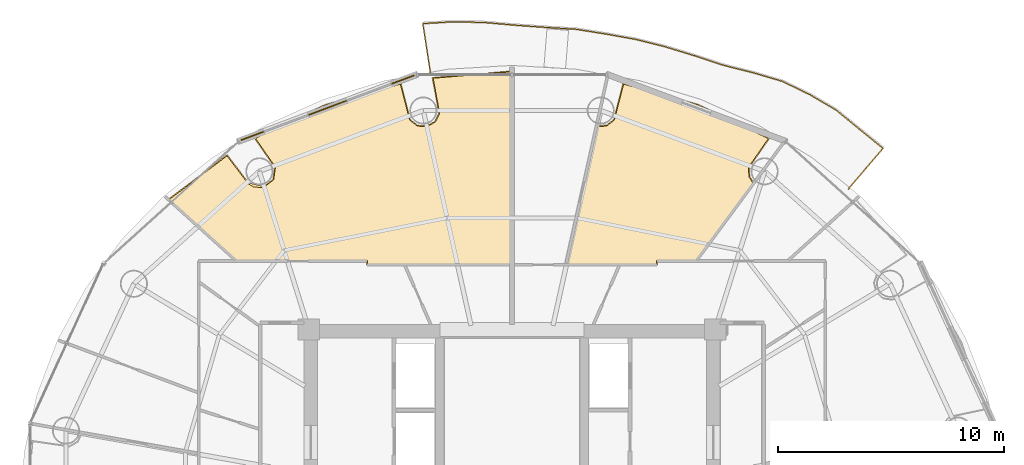
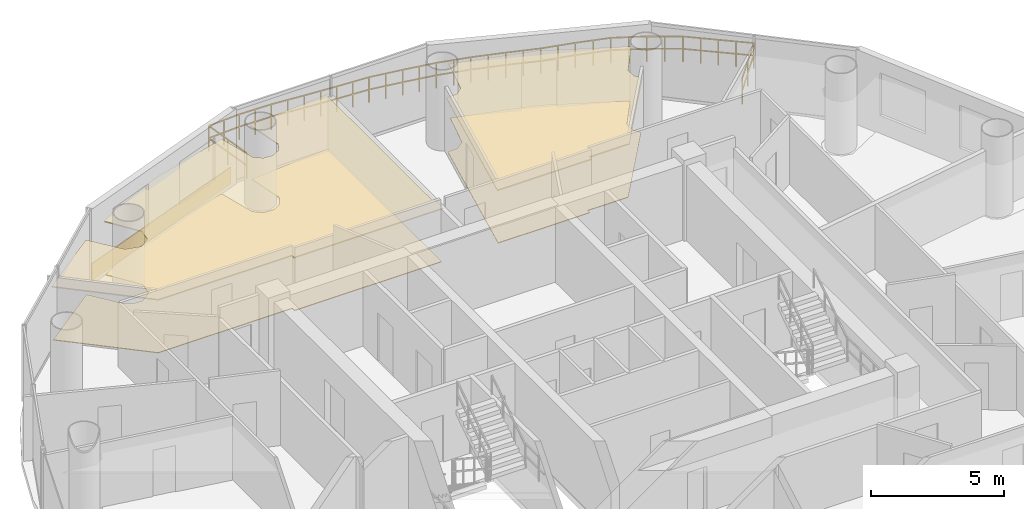
# One storey, part 27 of 27: 5 coverings, 1 railing.
"""IFC4 building model written with IfcOpenShell, lengths in metres."""

from ifc_helpers import new_model, si_unit, direction, frame, origin, origin_2d, place, context, subcontext, project, spatial, polyline, rectangle, outline, extrude, source, transform, mapped, material, layer, layer_set, type_object, element, save


model = new_model("IFC4")

# Units and contexts
model_context = context("Model", 3, precision=1e-05, world=origin(), true_north=direction((-0.2419218956, 0.970295726276)))
body_context = subcontext(model_context, "Body", "Model", "MODEL_VIEW")
ifc_project = project(units=[si_unit("LENGTHUNIT", "METRE"), si_unit("AREAUNIT", "SQUARE_METRE"), si_unit("VOLUMEUNIT", "CUBIC_METRE"), si_unit("PLANEANGLEUNIT", "RADIAN"), si_unit("MASSUNIT", "GRAM", prefix="KILO")], contexts=[model_context])

# Site, building, storey
site_placement = place(None, origin())
site = spatial("IfcSite", under=ifc_project, at=site_placement, CompositionType="ELEMENT")
building_placement = place(site_placement, origin())
building = spatial("IfcBuilding", under=site, at=building_placement, Name="Cobrevalo Terracotta Tower", CompositionType="ELEMENT")
storey_placement = place(building_placement, frame((0.0, 0.0, 194.89990234375)))
storey = spatial("IfcBuildingStorey", under=building, at=storey_placement, Name="L51", CompositionType="ELEMENT", Elevation=194.89990234375)

# Railing
ifc_material_1 = material(Name="Laminated structural glass and stainless steel", Category="steel")
railing_type = type_object("IfcRailingType", Name="Balcony lobe structural glass & terracotta-cap balustrade 1180 mm", PredefinedType="BALUSTRADE", material=ifc_material_1)
railing_placement = place(storey_placement, frame((52.901123046875, 41.023193359375, 0.0)))
element("IfcRailing", 1, at=railing_placement, inside=storey, type_object=railing_type, Name="L51 spiralling balcony lobe balustrade 1", PredefinedType="BALUSTRADE", context=body_context, shape_type="SweptSolid", body=[
    extrude(rectangle(XDim=0.048095703125, YDim=0.048095703125, at=origin_2d()), frame((0.0, 0.0, 1.15576171875), z_axis=(0.650291208554, 0.759685029521, 0.0), x_axis=(-0.759685029521, 0.650291208554, 0.0)), (0.0, 0.0, 1.0), 2.372314453125),
    extrude(rectangle(XDim=0.048095703125, YDim=0.048095703125, at=origin_2d()), frame((0.0, 0.0, 0.58984375), z_axis=(0.650291208554, 0.759685029521, 0.0), x_axis=(-0.759685029521, 0.650291208554, 0.0)), (0.0, 0.0, 1.0), 2.372314453125),
    extrude(rectangle(XDim=0.048095703125, YDim=0.048095703125, at=origin_2d()), frame((1.542724609375, 1.80224609375, 1.15576171875), z_axis=(-0.776041470751, 0.630681881518, 0.0), x_axis=(-0.630681881518, -0.776041470751, 0.0)), (0.0, 0.0, 1.0), 1.338623046875),
    extrude(rectangle(XDim=0.048095703125, YDim=0.048095703125, at=origin_2d()), frame((1.542724609375, 1.80224609375, 0.58984375), z_axis=(-0.776041470751, 0.630681881518, 0.0), x_axis=(-0.630681881518, -0.776041470751, 0.0)), (0.0, 0.0, 1.0), 1.338623046875),
    extrude(rectangle(XDim=0.048095703125, YDim=0.048095703125, at=origin_2d()), frame((0.50390625, 2.646484375, 1.15576171875), z_axis=(-0.773600924858, 0.633673108992, 0.0), x_axis=(-0.633673108992, -0.773600924858, 0.0)), (0.0, 0.0, 1.0), 1.343505859375),
    extrude(rectangle(XDim=0.048095703125, YDim=0.048095703125, at=origin_2d()), frame((0.50390625, 2.646484375, 0.58984375), z_axis=(-0.773600924858, 0.633673108992, 0.0), x_axis=(-0.633673108992, -0.773600924858, 0.0)), (0.0, 0.0, 1.0), 1.343505859375),
    extrude(rectangle(XDim=0.048095703125, YDim=0.048095703125, at=origin_2d()), frame((-0.535400390625, 3.497802734375, 1.15576171875), z_axis=(-0.862836203686, 0.505483615568, 0.0), x_axis=(-0.505483615568, -0.862836203686, 0.0)), (0.0, 0.0, 1.0), 1.354736328125),
    extrude(rectangle(XDim=0.048095703125, YDim=0.048095703125, at=origin_2d()), frame((-0.535400390625, 3.497802734375, 0.58984375), z_axis=(-0.862836203686, 0.505483615568, 0.0), x_axis=(-0.505483615568, -0.862836203686, 0.0)), (0.0, 0.0, 1.0), 1.354736328125),
    extrude(rectangle(XDim=0.048095703125, YDim=0.048095703125, at=origin_2d()), frame((-1.704345703125, 4.1826171875, 1.15576171875), z_axis=(-0.899644130432, 0.436623909766, 0.0), x_axis=(-0.436623909766, -0.899644130432, 0.0)), (0.0, 0.0, 1.0), 1.350341796875),
    extrude(rectangle(XDim=0.048095703125, YDim=0.048095703125, at=origin_2d()), frame((-1.704345703125, 4.1826171875, 0.58984375), z_axis=(-0.899644130432, 0.436623909766, 0.0), x_axis=(-0.436623909766, -0.899644130432, 0.0)), (0.0, 0.0, 1.0), 1.350341796875),
    extrude(rectangle(XDim=0.048095703125, YDim=0.048095703125, at=origin_2d()), frame((-2.919189453125, 4.772216796875, 1.15576171875), z_axis=(-0.959260482674, 0.282523143087, 0.0), x_axis=(-0.282523143087, -0.959260482674, 0.0)), (0.0, 0.0, 1.0), 1.37060546875),
    extrude(rectangle(XDim=0.048095703125, YDim=0.048095703125, at=origin_2d()), frame((-2.919189453125, 4.772216796875, 0.58984375), z_axis=(-0.959260482674, 0.282523143087, 0.0), x_axis=(-0.282523143087, -0.959260482674, 0.0)), (0.0, 0.0, 1.0), 1.37060546875),
    extrude(rectangle(XDim=0.048095703125, YDim=0.048095703125, at=origin_2d()), frame((-4.23388671875, 5.159423828125, 1.15576171875), z_axis=(-0.969738704162, 0.244145132351, 0.0), x_axis=(-0.244145132351, -0.969738704162, 0.0)), (0.0, 0.0, 1.0), 1.35595703125),
    extrude(rectangle(XDim=0.048095703125, YDim=0.048095703125, at=origin_2d()), frame((-4.23388671875, 5.159423828125, 0.58984375), z_axis=(-0.969738704162, 0.244145132351, 0.0), x_axis=(-0.244145132351, -0.969738704162, 0.0)), (0.0, 0.0, 1.0), 1.35595703125),
    extrude(rectangle(XDim=0.048095703125, YDim=0.048095703125, at=origin_2d()), frame((-5.548828125, 5.490478515625, 1.15576171875), z_axis=(-0.949952867938, 0.312393259683, 0.0), x_axis=(-0.312393259683, -0.949952867938, 0.0)), (0.0, 0.0, 1.0), 1.337890625),
    extrude(rectangle(XDim=0.048095703125, YDim=0.048095703125, at=origin_2d()), frame((-5.548828125, 5.490478515625, 0.58984375), z_axis=(-0.949952867938, 0.312393259683, 0.0), x_axis=(-0.312393259683, -0.949952867938, 0.0)), (0.0, 0.0, 1.0), 1.337890625),
    extrude(rectangle(XDim=0.048095703125, YDim=0.048095703125, at=origin_2d()), frame((-6.81982421875, 5.908447265625, 1.15576171875), z_axis=(-0.956152115654, 0.292870503348, 0.0), x_axis=(-0.292870503348, -0.956152115654, 0.0)), (0.0, 0.0, 1.0), 1.34130859375),
    extrude(rectangle(XDim=0.048095703125, YDim=0.048095703125, at=origin_2d()), frame((-6.81982421875, 5.908447265625, 0.58984375), z_axis=(-0.956152115654, 0.292870503348, 0.0), x_axis=(-0.292870503348, -0.956152115654, 0.0)), (0.0, 0.0, 1.0), 1.34130859375),
    extrude(rectangle(XDim=0.048095703125, YDim=0.048095703125, at=origin_2d()), frame((-8.102294921875, 6.30126953125, 1.15576171875), z_axis=(-0.969734449268, 0.244162032067, 0.0), x_axis=(-0.244162032067, -0.969734449268, 0.0)), (0.0, 0.0, 1.0), 1.341796875),
    extrude(rectangle(XDim=0.048095703125, YDim=0.048095703125, at=origin_2d()), frame((-8.102294921875, 6.30126953125, 0.58984375), z_axis=(-0.969734449268, 0.244162032067, 0.0), x_axis=(-0.244162032067, -0.969734449268, 0.0)), (0.0, 0.0, 1.0), 1.341796875),
    extrude(rectangle(XDim=0.048095703125, YDim=0.048095703125, at=origin_2d()), frame((-9.403564453125, 6.62890625, 1.15576171875), z_axis=(-0.98411819982, 0.177514418521, 0.0), x_axis=(-0.177514418521, -0.98411819982, 0.0)), (0.0, 0.0, 1.0), 1.347900390625),
    extrude(rectangle(XDim=0.048095703125, YDim=0.048095703125, at=origin_2d()), frame((-9.403564453125, 6.62890625, 0.58984375), z_axis=(-0.98411819982, 0.177514418521, 0.0), x_axis=(-0.177514418521, -0.98411819982, 0.0)), (0.0, 0.0, 1.0), 1.347900390625),
    extrude(rectangle(XDim=0.048095703125, YDim=0.048095703125, at=origin_2d()), frame((-10.72998046875, 6.8681640625, 1.15576171875), z_axis=(-0.987633301154, 0.15678157561, 0.0), x_axis=(-0.15678157561, -0.987633301154, 0.0)), (0.0, 0.0, 1.0), 1.346923828125),
    extrude(rectangle(XDim=0.048095703125, YDim=0.048095703125, at=origin_2d()), frame((-10.72998046875, 6.8681640625, 0.58984375), z_axis=(-0.987633301154, 0.15678157561, 0.0), x_axis=(-0.15678157561, -0.987633301154, 0.0)), (0.0, 0.0, 1.0), 1.346923828125),
    extrude(rectangle(XDim=0.048095703125, YDim=0.048095703125, at=origin_2d()), frame((-12.060302734375, 7.079345703125, 1.15576171875), z_axis=(-0.998144280792, 0.060893306051, 0.0), x_axis=(-0.060893306051, -0.998144280792, 0.0)), (0.0, 0.0, 1.0), 1.35107421875),
    extrude(rectangle(XDim=0.048095703125, YDim=0.048095703125, at=origin_2d()), frame((-12.060302734375, 7.079345703125, 0.58984375), z_axis=(-0.998144280792, 0.060893306051, 0.0), x_axis=(-0.060893306051, -0.998144280792, 0.0)), (0.0, 0.0, 1.0), 1.35107421875),
    extrude(rectangle(XDim=0.048095703125, YDim=0.048095703125, at=origin_2d()), frame((-13.408935546875, 7.16162109375, 1.15576171875), z_axis=(-0.997362491069, 0.072581412276, 0.0), x_axis=(-0.072581412276, -0.997362491069, 0.0)), (0.0, 0.0, 1.0), 1.352294921875),
    extrude(rectangle(XDim=0.048095703125, YDim=0.048095703125, at=origin_2d()), frame((-13.408935546875, 7.16162109375, 0.58984375), z_axis=(-0.997362491069, 0.072581412276, 0.0), x_axis=(-0.072581412276, -0.997362491069, 0.0)), (0.0, 0.0, 1.0), 1.352294921875),
    extrude(rectangle(XDim=0.048095703125, YDim=0.048095703125, at=origin_2d()), frame((-14.757568359375, 7.259765625, 1.15576171875), z_axis=(-0.99622107588, 0.086853715945, 0.0), x_axis=(-0.086853715945, -0.99622107588, 0.0)), (0.0, 0.0, 1.0), 1.36328125),
    extrude(rectangle(XDim=0.048095703125, YDim=0.048095703125, at=origin_2d()), frame((-14.757568359375, 7.259765625, 0.58984375), z_axis=(-0.99622107588, 0.086853715945, 0.0), x_axis=(-0.086853715945, -0.99622107588, 0.0)), (0.0, 0.0, 1.0), 1.36328125),
    extrude(rectangle(XDim=0.048095703125, YDim=0.048095703125, at=origin_2d()), frame((-16.11572265625, 7.378173828125, 1.15576171875), z_axis=(-0.999710995621, 0.024040075598, 0.0), x_axis=(-0.024040075598, -0.999710995621, 0.0)), (0.0, 0.0, 1.0), 1.37109375),
    extrude(rectangle(XDim=0.048095703125, YDim=0.048095703125, at=origin_2d()), frame((-16.11572265625, 7.378173828125, 0.58984375), z_axis=(-0.999710995621, 0.024040075598, 0.0), x_axis=(-0.024040075598, -0.999710995621, 0.0)), (0.0, 0.0, 1.0), 1.37109375),
    extrude(rectangle(XDim=0.048095703125, YDim=0.048095703125, at=origin_2d()), frame((-17.486328125, 7.4111328125, 1.15576171875), z_axis=(-0.998224199011, -0.059568855185, 0.0), x_axis=(0.059568855185, -0.998224199011, 0.0)), (0.0, 0.0, 1.0), 1.368896484375),
    extrude(rectangle(XDim=0.048095703125, YDim=0.048095703125, at=origin_2d()), frame((-17.486328125, 7.4111328125, 0.58984375), z_axis=(-0.998224199011, -0.059568855185, 0.0), x_axis=(0.059568855185, -0.998224199011, 0.0)), (0.0, 0.0, 1.0), 1.368896484375),
    extrude(rectangle(XDim=0.048095703125, YDim=0.048095703125, at=origin_2d()), frame((-18.852783203125, 7.32958984375, 1.15576171875), z_axis=(0.151041413952, -0.988527435771, 0.0), x_axis=(0.988527435771, 0.151041413952, 0.0)), (0.0, 0.0, 1.0), 2.27587890625),
    extrude(rectangle(XDim=0.048095703125, YDim=0.048095703125, at=origin_2d()), frame((-18.852783203125, 7.32958984375, 0.58984375), z_axis=(0.151041413952, -0.988527435771, 0.0), x_axis=(0.988527435771, 0.151041413952, 0.0)), (0.0, 0.0, 1.0), 2.27587890625),
    extrude(rectangle(XDim=0.0419921875, YDim=0.0419921875, at=origin_2d()), origin(), (0.0, 0.0, 1.0), 1.1318359375),
    extrude(rectangle(XDim=0.0419921875, YDim=0.0419921875, at=origin_2d()), frame((0.771484375, 0.901123046875, 0.0)), (0.0, 0.0, 1.0), 1.1318359375),
    extrude(rectangle(XDim=0.0419921875, YDim=0.0419921875, at=origin_2d()), frame((1.542724609375, 1.80224609375, 0.0)), (0.0, 0.0, 1.0), 1.1318359375),
    extrude(rectangle(XDim=0.0419921875, YDim=0.0419921875, at=origin_2d()), frame((1.0234375, 2.224365234375, 0.0)), (0.0, 0.0, 1.0), 1.1318359375),
    extrude(rectangle(XDim=0.0419921875, YDim=0.0419921875, at=origin_2d()), frame((0.50390625, 2.646484375, 0.0)), (0.0, 0.0, 1.0), 1.1318359375),
    extrude(rectangle(XDim=0.0419921875, YDim=0.0419921875, at=origin_2d()), frame((-0.015625, 3.072265625, 0.0)), (0.0, 0.0, 1.0), 1.1318359375),
    extrude(rectangle(XDim=0.0419921875, YDim=0.0419921875, at=origin_2d()), frame((-0.535400390625, 3.497802734375, 0.0)), (0.0, 0.0, 1.0), 1.1318359375),
    extrude(rectangle(XDim=0.0419921875, YDim=0.0419921875, at=origin_2d()), frame((-1.119873046875, 3.84033203125, 0.0)), (0.0, 0.0, 1.0), 1.1318359375),
    extrude(rectangle(XDim=0.0419921875, YDim=0.0419921875, at=origin_2d()), frame((-1.704345703125, 4.1826171875, 0.0)), (0.0, 0.0, 1.0), 1.1318359375),
    extrude(rectangle(XDim=0.0419921875, YDim=0.0419921875, at=origin_2d()), frame((-2.311767578125, 4.4775390625, 0.0)), (0.0, 0.0, 1.0), 1.1318359375),
    extrude(rectangle(XDim=0.0419921875, YDim=0.0419921875, at=origin_2d()), frame((-2.919189453125, 4.772216796875, 0.0)), (0.0, 0.0, 1.0), 1.1318359375),
    extrude(rectangle(XDim=0.0419921875, YDim=0.0419921875, at=origin_2d()), frame((-3.57666015625, 4.9658203125, 0.0)), (0.0, 0.0, 1.0), 1.1318359375),
    extrude(rectangle(XDim=0.0419921875, YDim=0.0419921875, at=origin_2d()), frame((-4.23388671875, 5.159423828125, 0.0)), (0.0, 0.0, 1.0), 1.1318359375),
    extrude(rectangle(XDim=0.0419921875, YDim=0.0419921875, at=origin_2d()), frame((-4.891357421875, 5.324951171875, 0.0)), (0.0, 0.0, 1.0), 1.1318359375),
    extrude(rectangle(XDim=0.0419921875, YDim=0.0419921875, at=origin_2d()), frame((-5.548828125, 5.490478515625, 0.0)), (0.0, 0.0, 1.0), 1.1318359375),
    extrude(rectangle(XDim=0.0419921875, YDim=0.0419921875, at=origin_2d()), frame((-6.184326171875, 5.699462890625, 0.0)), (0.0, 0.0, 1.0), 1.1318359375),
    extrude(rectangle(XDim=0.0419921875, YDim=0.0419921875, at=origin_2d()), frame((-6.81982421875, 5.908447265625, 0.0)), (0.0, 0.0, 1.0), 1.1318359375),
    extrude(rectangle(XDim=0.0419921875, YDim=0.0419921875, at=origin_2d()), frame((-7.4609375, 6.10498046875, 0.0)), (0.0, 0.0, 1.0), 1.1318359375),
    extrude(rectangle(XDim=0.0419921875, YDim=0.0419921875, at=origin_2d()), frame((-8.102294921875, 6.30126953125, 0.0)), (0.0, 0.0, 1.0), 1.1318359375),
    extrude(rectangle(XDim=0.0419921875, YDim=0.0419921875, at=origin_2d()), frame((-8.7529296875, 6.465087890625, 0.0)), (0.0, 0.0, 1.0), 1.1318359375),
    extrude(rectangle(XDim=0.0419921875, YDim=0.0419921875, at=origin_2d()), frame((-9.403564453125, 6.62890625, 0.0)), (0.0, 0.0, 1.0), 1.1318359375),
    extrude(rectangle(XDim=0.0419921875, YDim=0.0419921875, at=origin_2d()), frame((-10.06689453125, 6.74853515625, 0.0)), (0.0, 0.0, 1.0), 1.1318359375),
    extrude(rectangle(XDim=0.0419921875, YDim=0.0419921875, at=origin_2d()), frame((-10.72998046875, 6.8681640625, 0.0)), (0.0, 0.0, 1.0), 1.1318359375),
    extrude(rectangle(XDim=0.0419921875, YDim=0.0419921875, at=origin_2d()), frame((-11.39501953125, 6.9736328125, 0.0)), (0.0, 0.0, 1.0), 1.1318359375),
    extrude(rectangle(XDim=0.0419921875, YDim=0.0419921875, at=origin_2d()), frame((-12.060302734375, 7.079345703125, 0.0)), (0.0, 0.0, 1.0), 1.1318359375),
    extrude(rectangle(XDim=0.0419921875, YDim=0.0419921875, at=origin_2d()), frame((-12.734619140625, 7.12060546875, 0.0)), (0.0, 0.0, 1.0), 1.1318359375),
    extrude(rectangle(XDim=0.0419921875, YDim=0.0419921875, at=origin_2d()), frame((-13.408935546875, 7.16162109375, 0.0)), (0.0, 0.0, 1.0), 1.1318359375),
    extrude(rectangle(XDim=0.0419921875, YDim=0.0419921875, at=origin_2d()), frame((-14.083251953125, 7.210693359375, 0.0)), (0.0, 0.0, 1.0), 1.1318359375),
    extrude(rectangle(XDim=0.0419921875, YDim=0.0419921875, at=origin_2d()), frame((-14.757568359375, 7.259765625, 0.0)), (0.0, 0.0, 1.0), 1.1318359375),
    extrude(rectangle(XDim=0.0419921875, YDim=0.0419921875, at=origin_2d()), frame((-15.4365234375, 7.31884765625, 0.0)), (0.0, 0.0, 1.0), 1.1318359375),
    extrude(rectangle(XDim=0.0419921875, YDim=0.0419921875, at=origin_2d()), frame((-16.11572265625, 7.378173828125, 0.0)), (0.0, 0.0, 1.0), 1.1318359375),
    extrude(rectangle(XDim=0.0419921875, YDim=0.0419921875, at=origin_2d()), frame((-16.801025390625, 7.39453125, 0.0)), (0.0, 0.0, 1.0), 1.1318359375),
    extrude(rectangle(XDim=0.0419921875, YDim=0.0419921875, at=origin_2d()), frame((-17.486328125, 7.4111328125, 0.0)), (0.0, 0.0, 1.0), 1.1318359375),
    extrude(rectangle(XDim=0.0419921875, YDim=0.0419921875, at=origin_2d()), frame((-18.16943359375, 7.370361328125, 0.0)), (0.0, 0.0, 1.0), 1.1318359375),
    extrude(rectangle(XDim=0.0419921875, YDim=0.0419921875, at=origin_2d()), frame((-18.852783203125, 7.32958984375, 0.0)), (0.0, 0.0, 1.0), 1.1318359375),
    extrude(rectangle(XDim=0.0419921875, YDim=0.0419921875, at=origin_2d()), frame((-18.680908203125, 6.20458984375, 0.0)), (0.0, 0.0, 1.0), 1.1318359375),
    extrude(rectangle(XDim=0.0419921875, YDim=0.0419921875, at=origin_2d()), frame((-18.509033203125, 5.079833984375, 0.0)), (0.0, 0.0, 1.0), 1.1318359375),
])

# Coverings
ifc_material_2 = material(Name="Engineered Brazilian hardwood flooring", Category="wood")
ifc_layer_1 = layer(ifc_material_2, 0.028076171875)
ifc_layer_set_1 = layer_set([ifc_layer_1], Name="Engineered Brazilian hardwood flooring")
covering_type_1 = type_object("IfcCoveringType", Name="Engineered Hardwood Suite Flooring 28", PredefinedType="FLOORING", material=ifc_layer_set_1)
covering_1_placement = place(storey_placement, origin())
element("IfcCovering", 2, at=covering_1_placement, inside=storey, type_object=covering_type_1, Name="Flat L51A Principal Guest Bedroom floor finish", PredefinedType="FLOORING", context=body_context, shape_type="SweptSolid", body=[
    extrude(outline(polyline([(46.236083984375, 44.741455078125), (49.3544921875, 43.259765625), (48.477294921875, 41.98974609375), (48.497314453125, 41.560546875), (48.681396484375, 41.279541015625), (46.149169921875, 37.85498046875), (44.39501953125, 37.85498046875), (44.39501953125, 37.695068359375), (40.418701171875, 37.695068359375), (41.759765625, 43.78759765625), (42.198974609375, 43.813232421875), (42.537109375, 44.078369140625), (42.9482421875, 45.669921875), (46.236083984375, 44.741455078125)])), origin(), (0.0, 0.0, 1.0), 0.030029296875),
])
covering_2_placement = place(storey_placement, origin())
element("IfcCovering", 3, at=covering_2_placement, inside=storey, type_object=covering_type_1, Name="Flat L51B Penthouse Living and Dining Room floor finish", PredefinedType="FLOORING", context=body_context, shape_type="SweptSolid", body=[
    extrude(outline(polyline([(25.3720703125, 42.49169921875), (26.309814453125, 41.25830078125), (26.557861328125, 41.110595703125), (26.987060546875, 41.090576171875), (27.441162109375, 41.42919921875), (27.522705078125, 41.98974609375), (26.6455078125, 43.259765625), (27.2392578125, 43.61767578125), (29.763916015625, 44.741455078125), (33.0517578125, 45.669921875), (33.462890625, 44.078369140625), (33.801025390625, 43.813232421875), (34.229248046875, 43.78076171875), (34.603759765625, 43.991455078125), (34.7978515625, 44.375), (34.509765625, 45.931640625), (37.97998046875, 46.21875), (37.97998046875, 37.695068359375), (31.60498046875, 37.695068359375), (31.60498046875, 37.85498046875), (25.79638671875, 37.85498046875), (22.810302734375, 40.553466796875), (25.3720703125, 42.49169921875)])), origin(), (0.0, 0.0, 1.0), 0.030029296875),
])
ifc_material_3 = material(Name="Acoustic perforated gypsum ceiling", Category="gypsum")
ifc_layer_2 = layer(ifc_material_3, 0.050048828125)
ifc_layer_set_2 = layer_set([ifc_layer_2], Name="Acoustic perforated gypsum ceiling")
covering_type_2 = type_object("IfcCoveringType", Name="Perforated Acoustic Gypsum Ceiling 50", PredefinedType="CEILING", material=ifc_layer_set_2)
covering_3_placement = place(storey_placement, frame((0.0, 0.0, 2.445068359375)))
element("IfcCovering", 4, at=covering_3_placement, inside=storey, type_object=covering_type_2, Name="Flat L51A Principal Guest Bedroom acoustic ceiling", PredefinedType="CEILING", context=body_context, shape_type="SweptSolid", body=[
    extrude(outline(polyline([(46.251708984375, 44.78369140625), (49.420166015625, 43.272705078125), (48.521240234375, 41.978759765625), (48.539794921875, 41.57568359375), (48.74169921875, 41.285400390625), (46.171875, 37.81005859375), (44.43994140625, 37.81005859375), (44.43994140625, 37.64990234375), (40.362548828125, 37.64990234375), (41.724853515625, 43.838623046875), (42.1826171875, 43.85546875), (42.500244140625, 44.1044921875), (42.91357421875, 45.7216796875), (46.251708984375, 44.78369140625)])), origin(), (0.0, 0.0, 1.0), 0.050048828125),
])
covering_4_placement = place(storey_placement, frame((0.0, 0.0, 2.445068359375)))
element("IfcCovering", 5, at=covering_4_placement, inside=storey, type_object=covering_type_2, Name="Flat L51B Penthouse Living and Dining Room acoustic ceiling", PredefinedType="CEILING", context=body_context, shape_type="SweptSolid", body=[
    extrude(outline(polyline([(25.3837890625, 42.55126953125), (26.340087890625, 41.2919921875), (26.975830078125, 41.134521484375), (27.40234375, 41.452392578125), (27.478759765625, 41.978759765625), (26.579833984375, 43.272705078125), (27.218505859375, 43.65771484375), (29.748291015625, 44.78369140625), (33.08642578125, 45.7216796875), (33.499755859375, 44.1044921875), (33.8173828125, 43.85546875), (34.219482421875, 43.82470703125), (34.571044921875, 44.02294921875), (34.753173828125, 44.3828125), (34.455810546875, 45.967529296875), (38.02490234375, 46.2666015625), (38.02490234375, 37.64990234375), (31.56005859375, 37.64990234375), (31.56005859375, 37.81005859375), (25.779052734375, 37.81005859375), (22.74072265625, 40.5556640625), (25.3837890625, 42.55126953125)])), origin(), (0.0, 0.0, 1.0), 0.050048828125),
])
ifc_material_4 = material(Name="Glazed terracotta facade cladding tile", Category="masonry")
ifc_layer_3 = layer(ifc_material_4, 0.044921875)
ifc_layer_set_3 = layer_set([ifc_layer_3], Name="Glazed terracotta facade cladding tile")
covering_type_3 = type_object("IfcCoveringType", Name="Architectural terracotta rainscreen spandrel cladding 45 mm", PredefinedType="CLADDING", material=ifc_layer_set_3)
shared_shape = source(origin(), body_context, "Body", "SweptSolid", [
    extrude(rectangle(XDim=8.17919921875, YDim=0.044921875, at=origin_2d()), origin(), (0.0, 0.0, 1.0), 0.760009765625),
])
covering_5_placement = place(storey_placement, frame((29.8291015625, 44.62353515625, 0.0400390625), z_axis=(0.0, 0.0, 1.0), x_axis=(-0.936557839879, -0.350513070458, 0.0)))
element("IfcCovering", 6, at=covering_5_placement, inside=storey, type_object=covering_type_3, Name="L51 terracotta spandrel cladding S05", PredefinedType="CLADDING", context=body_context, shape_type="MappedRepresentation", body=[
    mapped(shared_shape, transform((0.0, 0.0, 0.0), scale=1.0)),
])

save(model, "model.ifc")
